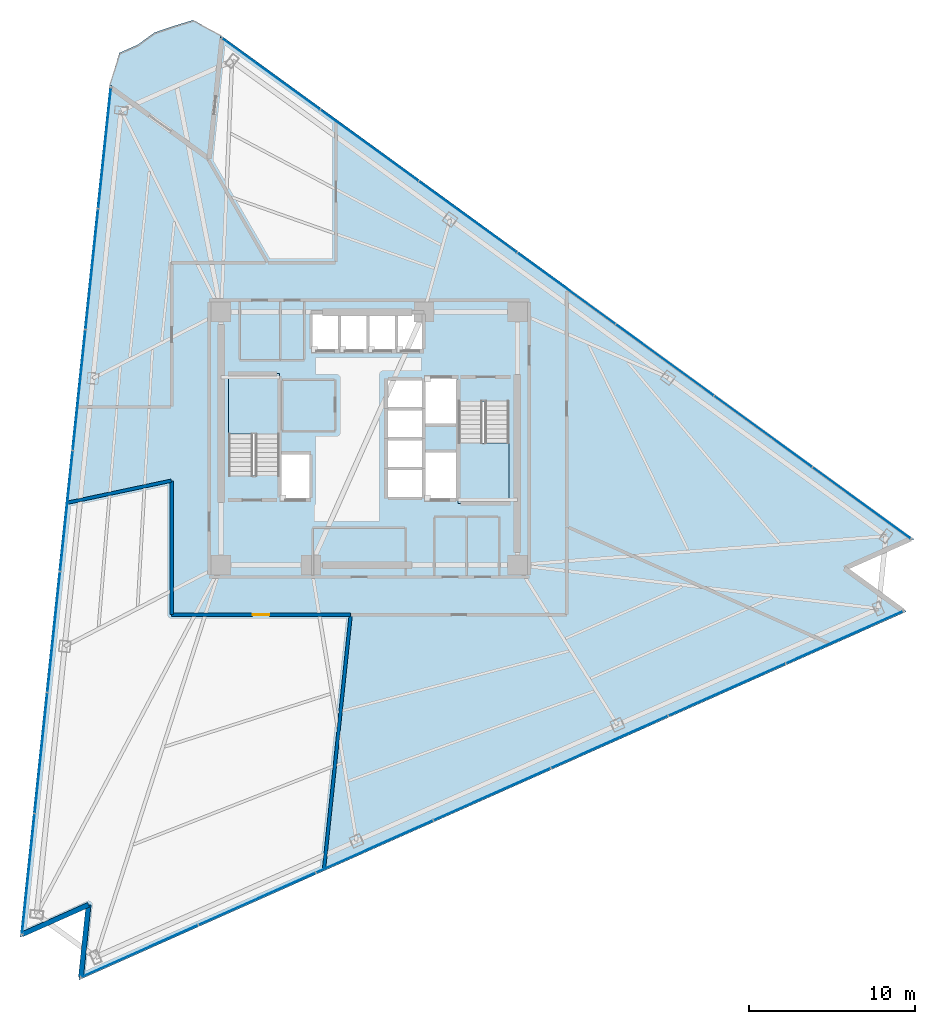
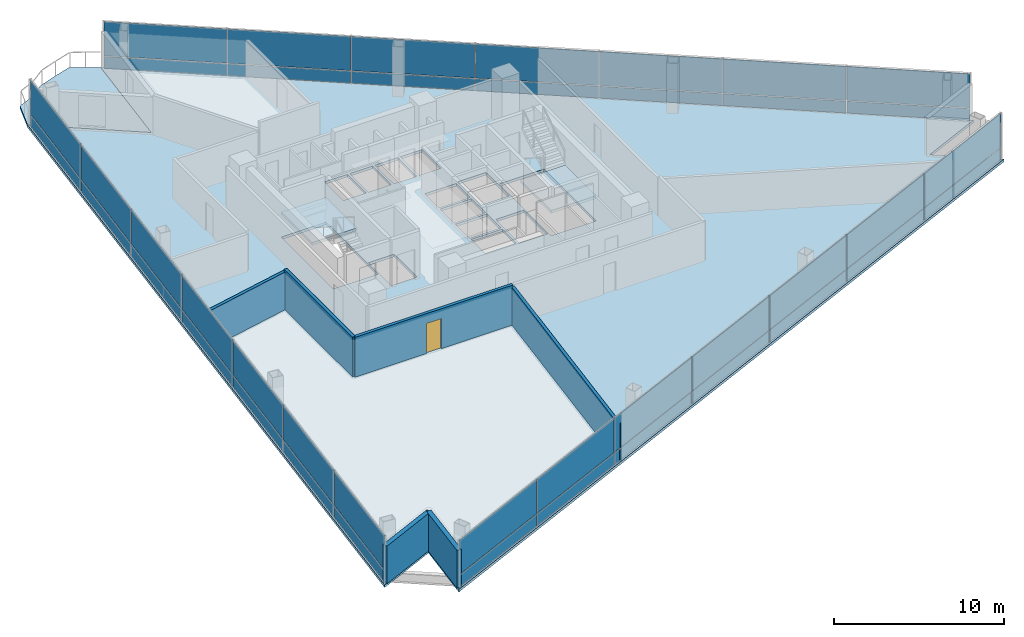
# One storey, part 10 of 16: 42 plates, 6 walls, 4 slabs, 1 door, 1 opening, 5 elements without a shape of their own.
"""IFC4 building model written with IfcOpenShell, lengths in metres."""

from ifc_helpers import new_model, si_unit, direction, frame, frame_2d, origin, origin_2d, place, context, subcontext, project, spatial, polyline, rectangle, outline, extrude, material, layer, layer_set, type_object, element, fill, aggregate, save


model = new_model("IFC4")

# Units and contexts
model_context = context("Model", 3, precision=1e-05, world=origin(), true_north=direction((0.0, 1.0)))
body_context = subcontext(model_context, "Body", "Model", "MODEL_VIEW")
ifc_project = project(units=[si_unit("LENGTHUNIT", "METRE"), si_unit("AREAUNIT", "SQUARE_METRE"), si_unit("VOLUMEUNIT", "CUBIC_METRE"), si_unit("PLANEANGLEUNIT", "RADIAN"), si_unit("MASSUNIT", "GRAM", prefix="KILO")], contexts=[model_context])

# Site, building, storey
site_placement = place(None, origin())
site = spatial("IfcSite", under=ifc_project, at=site_placement, CompositionType="ELEMENT")
building_placement = place(site_placement, origin())
building = spatial("IfcBuilding", under=site, at=building_placement, Name="Tharavind Bronze Gate", CompositionType="ELEMENT")
storey_placement = place(building_placement, frame((0.0, 0.0, 130.449951171875)))
storey = spatial("IfcBuildingStorey", under=building, at=storey_placement, Name="L33", CompositionType="ELEMENT", Elevation=130.449951171875)

# Curtain wall, plates
ifc_material_1 = material(Name="Anodised Bronze Aluminium", Category="aluminium")
ifc_layer_1 = layer(ifc_material_1, 0.219970703125)
ifc_layer_set_1 = layer_set([ifc_layer_1], Name="Anodised Bronze Aluminium")
curtain_wall_type = type_object("IfcCurtainWallType", Name="UNITISED CURTAIN WALL LOWER OFFICE", PredefinedType="USERDEFINED", material=ifc_layer_set_1)
curtain_wall_1_placement = place(storey_placement, origin())
curtain_wall_1 = element("IfcCurtainWall", 1, at=curtain_wall_1_placement, inside=storey, type_object=curtain_wall_type, Name="L33 unitised curtain wall lower office CW-L33-S1", ObjectType="UNITISED CURTAIN WALL", PredefinedType="USERDEFINED")
ifc_material_2 = material(Name="Patinated Bronze Alloy Sheet", Category="bronze")
ifc_layer_2 = layer(ifc_material_2, 0.01611328125)
ifc_layer_set_2 = layer_set([ifc_layer_2], Name="Patinated Bronze Alloy Sheet")
plate_type_1 = type_object("IfcPlateType", Name="BRONZE SPANDREL CLADDING PANEL 16", PredefinedType="CURTAIN_PANEL", material=ifc_layer_set_2)
plate_1_placement = place(storey_placement, frame((-15.909912109375, 17.465087890625, 0.0263671875), z_axis=(0.0, 0.0, 1.0), x_axis=(-0.104526727499, -0.994522077803, 0.0)))
plate_1 = element("IfcPlate", 2, at=plate_1_placement, type_object=plate_type_1, Name="CW-L33-S1 bronze spandrel panel 1", PredefinedType="CURTAIN_PANEL", context=body_context, shape_type="SweptSolid", body=[
    extrude(rectangle(XDim=7.26025390625, YDim=0.01611328125, at=origin_2d()), origin(), (0.0, 0.0, 1.0), 0.846923828125),
])
plate_2_placement = place(storey_placement, frame((-16.67431640625, 10.19189453125, 0.0263671875), z_axis=(0.0, 0.0, 1.0), x_axis=(-0.104526727499, -0.994522077803, 0.0)))
plate_2 = element("IfcPlate", 3, at=plate_2_placement, type_object=plate_type_1, Name="CW-L33-S1 bronze spandrel panel 2", PredefinedType="CURTAIN_PANEL", context=body_context, shape_type="SweptSolid", body=[
    extrude(rectangle(XDim=7.26025390625, YDim=0.01611328125, at=origin_2d()), origin(), (0.0, 0.0, 1.0), 0.846923828125),
])
plate_3_placement = place(storey_placement, frame((-17.438720703125, 2.91845703125, 0.0263671875), z_axis=(0.0, 0.0, 1.0), x_axis=(-0.104526727499, -0.994522077803, 0.0)))
plate_3 = element("IfcPlate", 4, at=plate_3_placement, type_object=plate_type_1, Name="CW-L33-S1 bronze spandrel panel 3", PredefinedType="CURTAIN_PANEL", context=body_context, shape_type="SweptSolid", body=[
    extrude(rectangle(XDim=7.26025390625, YDim=0.01611328125, at=origin_2d()), origin(), (0.0, 0.0, 1.0), 0.846923828125),
])
plate_4_placement = place(storey_placement, frame((-18.203125, -4.354736328125, 0.0263671875), z_axis=(0.0, 0.0, 1.0), x_axis=(-0.104526727499, -0.994522077803, 0.0)))
plate_4 = element("IfcPlate", 5, at=plate_4_placement, type_object=plate_type_1, Name="CW-L33-S1 bronze spandrel panel 4", PredefinedType="CURTAIN_PANEL", context=body_context, shape_type="SweptSolid", body=[
    extrude(rectangle(XDim=7.26025390625, YDim=0.01611328125, at=origin_2d()), origin(), (0.0, 0.0, 1.0), 0.846923828125),
])
plate_5_placement = place(storey_placement, frame((-18.967529296875, -11.628173828125, 0.0263671875), z_axis=(0.0, 0.0, 1.0), x_axis=(-0.104526727499, -0.994522077803, 0.0)))
plate_5 = element("IfcPlate", 6, at=plate_5_placement, type_object=plate_type_1, Name="CW-L33-S1 bronze spandrel panel 5", PredefinedType="CURTAIN_PANEL", context=body_context, shape_type="SweptSolid", body=[
    extrude(rectangle(XDim=7.26025390625, YDim=0.01611328125, at=origin_2d()), origin(), (0.0, 0.0, 1.0), 0.846923828125),
])
plate_6_placement = place(storey_placement, frame((-19.73193359375, -18.9013671875, 0.0263671875), z_axis=(0.0, 0.0, 1.0), x_axis=(-0.104526727499, -0.994522077803, 0.0)))
plate_6 = element("IfcPlate", 7, at=plate_6_placement, type_object=plate_type_1, Name="CW-L33-S1 bronze spandrel panel 6", PredefinedType="CURTAIN_PANEL", context=body_context, shape_type="SweptSolid", body=[
    extrude(rectangle(XDim=7.26025390625, YDim=0.01611328125, at=origin_2d()), origin(), (0.0, 0.0, 1.0), 0.846923828125),
])
plate_7_placement = place(storey_placement, frame((-20.49658203125, -26.1748046875, 0.0263671875), z_axis=(0.0, 0.0, 1.0), x_axis=(-0.104526727499, -0.994522077803, 0.0)))
plate_7 = element("IfcPlate", 8, at=plate_7_placement, type_object=plate_type_1, Name="CW-L33-S1 bronze spandrel panel 7", PredefinedType="CURTAIN_PANEL", context=body_context, shape_type="SweptSolid", body=[
    extrude(rectangle(XDim=7.26025390625, YDim=0.01611328125, at=origin_2d()), origin(), (0.0, 0.0, 1.0), 0.846923828125),
])

curtain_wall_2_placement = place(storey_placement, origin())
curtain_wall_2 = element("IfcCurtainWall", 9, at=curtain_wall_2_placement, inside=storey, type_object=curtain_wall_type, Name="L33 unitised curtain wall lower office CW-L33-S2", ObjectType="UNITISED CURTAIN WALL", PredefinedType="USERDEFINED")
plate_8_placement = place(storey_placement, frame((-13.80419921875, -30.813720703125, 0.0263671875), z_axis=(0.0, 0.0, 1.0), x_axis=(0.913545457643, 0.406736643076, 0.0)))
plate_8 = element("IfcPlate", 10, at=plate_8_placement, type_object=plate_type_1, Name="CW-L33-S2 bronze spandrel panel 1", PredefinedType="CURTAIN_PANEL", context=body_context, shape_type="SweptSolid", body=[
    extrude(rectangle(XDim=7.677490234375, YDim=0.01611328125, at=origin_2d()), origin(), (0.0, 0.0, 1.0), 0.846923828125),
])
plate_9_placement = place(storey_placement, frame((-6.741943359375, -27.66943359375, 0.0263671875), z_axis=(0.0, 0.0, 1.0), x_axis=(0.913545457643, 0.406736643076, 0.0)))
plate_9 = element("IfcPlate", 11, at=plate_9_placement, type_object=plate_type_1, Name="CW-L33-S2 bronze spandrel panel 2", PredefinedType="CURTAIN_PANEL", context=body_context, shape_type="SweptSolid", body=[
    extrude(rectangle(XDim=7.677490234375, YDim=0.01611328125, at=origin_2d()), origin(), (0.0, 0.0, 1.0), 0.846923828125),
])
plate_10_placement = place(storey_placement, frame((0.3203125, -24.525146484375, 0.0263671875), z_axis=(0.0, 0.0, 1.0), x_axis=(0.913545457643, 0.406736643076, 0.0)))
plate_10 = element("IfcPlate", 12, at=plate_10_placement, type_object=plate_type_1, Name="CW-L33-S2 bronze spandrel panel 3", PredefinedType="CURTAIN_PANEL", context=body_context, shape_type="SweptSolid", body=[
    extrude(rectangle(XDim=7.677490234375, YDim=0.01611328125, at=origin_2d()), origin(), (0.0, 0.0, 1.0), 0.846923828125),
])
plate_11_placement = place(storey_placement, frame((7.38232421875, -21.380859375, 0.0263671875), z_axis=(0.0, 0.0, 1.0), x_axis=(0.913545457643, 0.406736643076, 0.0)))
plate_11 = element("IfcPlate", 13, at=plate_11_placement, type_object=plate_type_1, Name="CW-L33-S2 bronze spandrel panel 4", PredefinedType="CURTAIN_PANEL", context=body_context, shape_type="SweptSolid", body=[
    extrude(rectangle(XDim=7.677490234375, YDim=0.01611328125, at=origin_2d()), origin(), (0.0, 0.0, 1.0), 0.846923828125),
])
plate_12_placement = place(storey_placement, frame((14.4443359375, -18.236572265625, 0.0263671875), z_axis=(0.0, 0.0, 1.0), x_axis=(0.913545457643, 0.406736643076, 0.0)))
plate_12 = element("IfcPlate", 14, at=plate_12_placement, type_object=plate_type_1, Name="CW-L33-S2 bronze spandrel panel 5", PredefinedType="CURTAIN_PANEL", context=body_context, shape_type="SweptSolid", body=[
    extrude(rectangle(XDim=7.677490234375, YDim=0.01611328125, at=origin_2d()), origin(), (0.0, 0.0, 1.0), 0.846923828125),
])
plate_13_placement = place(storey_placement, frame((21.506591796875, -15.09228515625, 0.0263671875), z_axis=(0.0, 0.0, 1.0), x_axis=(0.913545457643, 0.406736643076, 0.0)))
plate_13 = element("IfcPlate", 15, at=plate_13_placement, type_object=plate_type_1, Name="CW-L33-S2 bronze spandrel panel 6", PredefinedType="CURTAIN_PANEL", context=body_context, shape_type="SweptSolid", body=[
    extrude(rectangle(XDim=7.677490234375, YDim=0.01611328125, at=origin_2d()), origin(), (0.0, 0.0, 1.0), 0.846923828125),
])
plate_14_placement = place(storey_placement, frame((28.568603515625, -11.947998046875, 0.0263671875), z_axis=(0.0, 0.0, 1.0), x_axis=(0.913545457643, 0.406736643076, 0.0)))
plate_14 = element("IfcPlate", 16, at=plate_14_placement, type_object=plate_type_1, Name="CW-L33-S2 bronze spandrel panel 7", PredefinedType="CURTAIN_PANEL", context=body_context, shape_type="SweptSolid", body=[
    extrude(rectangle(XDim=7.677490234375, YDim=0.01611328125, at=origin_2d()), origin(), (0.0, 0.0, 1.0), 0.846923828125),
])

curtain_wall_3_placement = place(storey_placement, origin())
curtain_wall_3 = element("IfcCurtainWall", 17, at=curtain_wall_3_placement, inside=storey, type_object=curtain_wall_type, Name="L33 unitised curtain wall lower office CW-L33-S3", ObjectType="UNITISED CURTAIN WALL", PredefinedType="USERDEFINED")
plate_15_placement = place(storey_placement, frame((29.599365234375, -3.87060546875, 0.0263671875), z_axis=(0.0, 0.0, 1.0), x_axis=(-0.809016994375, 0.587785252292, 0.0)))
plate_15 = element("IfcPlate", 18, at=plate_15_placement, type_object=plate_type_1, Name="CW-L33-S3 bronze spandrel panel 1", PredefinedType="CURTAIN_PANEL", context=body_context, shape_type="SweptSolid", body=[
    extrude(rectangle(XDim=7.260498046875, YDim=0.01611328125, at=origin_2d()), origin(), (0.0, 0.0, 1.0), 0.846923828125),
])
plate_16_placement = place(storey_placement, frame((23.6826171875, 0.427978515625, 0.0263671875), z_axis=(0.0, 0.0, 1.0), x_axis=(-0.809016994375, 0.587785252292, 0.0)))
plate_16 = element("IfcPlate", 19, at=plate_16_placement, type_object=plate_type_1, Name="CW-L33-S3 bronze spandrel panel 2", PredefinedType="CURTAIN_PANEL", context=body_context, shape_type="SweptSolid", body=[
    extrude(rectangle(XDim=7.260498046875, YDim=0.01611328125, at=origin_2d()), origin(), (0.0, 0.0, 1.0), 0.846923828125),
])
plate_17_placement = place(storey_placement, frame((17.76611328125, 4.726806640625, 0.0263671875), z_axis=(0.0, 0.0, 1.0), x_axis=(-0.809016994375, 0.587785252292, 0.0)))
plate_17 = element("IfcPlate", 20, at=plate_17_placement, type_object=plate_type_1, Name="CW-L33-S3 bronze spandrel panel 3", PredefinedType="CURTAIN_PANEL", context=body_context, shape_type="SweptSolid", body=[
    extrude(rectangle(XDim=7.260498046875, YDim=0.01611328125, at=origin_2d()), origin(), (0.0, 0.0, 1.0), 0.846923828125),
])
plate_18_placement = place(storey_placement, frame((11.849365234375, 9.025390625, 0.0263671875), z_axis=(0.0, 0.0, 1.0), x_axis=(-0.809016994375, 0.587785252292, 0.0)))
plate_18 = element("IfcPlate", 21, at=plate_18_placement, type_object=plate_type_1, Name="CW-L33-S3 bronze spandrel panel 4", PredefinedType="CURTAIN_PANEL", context=body_context, shape_type="SweptSolid", body=[
    extrude(rectangle(XDim=7.260498046875, YDim=0.01611328125, at=origin_2d()), origin(), (0.0, 0.0, 1.0), 0.846923828125),
])
plate_19_placement = place(storey_placement, frame((5.932861328125, 13.32421875, 0.0263671875), z_axis=(0.0, 0.0, 1.0), x_axis=(-0.809016994375, 0.587785252292, 0.0)))
plate_19 = element("IfcPlate", 22, at=plate_19_placement, type_object=plate_type_1, Name="CW-L33-S3 bronze spandrel panel 5", PredefinedType="CURTAIN_PANEL", context=body_context, shape_type="SweptSolid", body=[
    extrude(rectangle(XDim=7.260498046875, YDim=0.01611328125, at=origin_2d()), origin(), (0.0, 0.0, 1.0), 0.846923828125),
])
plate_20_placement = place(storey_placement, frame((0.01611328125, 17.622802734375, 0.0263671875), z_axis=(0.0, 0.0, 1.0), x_axis=(-0.809016994375, 0.587785252292, 0.0)))
plate_20 = element("IfcPlate", 23, at=plate_20_placement, type_object=plate_type_1, Name="CW-L33-S3 bronze spandrel panel 6", PredefinedType="CURTAIN_PANEL", context=body_context, shape_type="SweptSolid", body=[
    extrude(rectangle(XDim=7.260498046875, YDim=0.01611328125, at=origin_2d()), origin(), (0.0, 0.0, 1.0), 0.846923828125),
])
plate_21_placement = place(storey_placement, frame((-5.900390625, 21.921630859375, 0.0263671875), z_axis=(0.0, 0.0, 1.0), x_axis=(-0.809016994375, 0.587785252292, 0.0)))
plate_21 = element("IfcPlate", 24, at=plate_21_placement, type_object=plate_type_1, Name="CW-L33-S3 bronze spandrel panel 7", PredefinedType="CURTAIN_PANEL", context=body_context, shape_type="SweptSolid", body=[
    extrude(rectangle(XDim=7.260498046875, YDim=0.01611328125, at=origin_2d()), origin(), (0.0, 0.0, 1.0), 0.846923828125),
])

# Plate
ifc_material_3 = material(Name="Low-E Double Glazing", Category="glass")
ifc_layer_3 = layer(ifc_material_3, 0.031982421875)
ifc_layer_set_3 = layer_set([ifc_layer_3], Name="Low-E Double Glazing")
plate_type_2 = type_object("IfcPlateType", Name="DOUBLE GLAZED FACADE PANEL 32", PredefinedType="CURTAIN_PANEL", material=ifc_layer_set_3)
plate_22_placement = place(storey_placement, frame((-15.909912109375, 17.465087890625, 0.926513671875), z_axis=(0.0, 0.0, 1.0), x_axis=(-0.104526727499, -0.994522077803, 0.0)))
plate_22 = element("IfcPlate", 25, at=plate_22_placement, type_object=plate_type_2, Name="CW-L33-S1 vision glazing panel 1", PredefinedType="CURTAIN_PANEL", context=body_context, shape_type="SweptSolid", body=[
    extrude(rectangle(XDim=7.26025390625, YDim=0.031982421875, at=origin_2d()), origin(), (0.0, 0.0, 1.0), 2.45703125),
])

plate_23_placement = place(storey_placement, frame((-16.67431640625, 10.19189453125, 0.926513671875), z_axis=(0.0, 0.0, 1.0), x_axis=(-0.104526727499, -0.994522077803, 0.0)))
plate_23 = element("IfcPlate", 26, at=plate_23_placement, type_object=plate_type_2, Name="CW-L33-S1 vision glazing panel 2", PredefinedType="CURTAIN_PANEL", context=body_context, shape_type="SweptSolid", body=[
    extrude(rectangle(XDim=7.26025390625, YDim=0.031982421875, at=origin_2d()), origin(), (0.0, 0.0, 1.0), 2.45703125),
])

plate_24_placement = place(storey_placement, frame((-17.438720703125, 2.91845703125, 0.926513671875), z_axis=(0.0, 0.0, 1.0), x_axis=(-0.104526727499, -0.994522077803, 0.0)))
plate_24 = element("IfcPlate", 27, at=plate_24_placement, type_object=plate_type_2, Name="CW-L33-S1 vision glazing panel 3", PredefinedType="CURTAIN_PANEL", context=body_context, shape_type="SweptSolid", body=[
    extrude(rectangle(XDim=7.26025390625, YDim=0.031982421875, at=origin_2d()), origin(), (0.0, 0.0, 1.0), 2.45703125),
])

plate_25_placement = place(storey_placement, frame((-18.203125, -4.354736328125, 0.926513671875), z_axis=(0.0, 0.0, 1.0), x_axis=(-0.104526727499, -0.994522077803, 0.0)))
plate_25 = element("IfcPlate", 28, at=plate_25_placement, type_object=plate_type_2, Name="CW-L33-S1 vision glazing panel 4", PredefinedType="CURTAIN_PANEL", context=body_context, shape_type="SweptSolid", body=[
    extrude(rectangle(XDim=7.26025390625, YDim=0.031982421875, at=origin_2d()), origin(), (0.0, 0.0, 1.0), 2.45703125),
])

plate_26_placement = place(storey_placement, frame((-18.967529296875, -11.628173828125, 0.926513671875), z_axis=(0.0, 0.0, 1.0), x_axis=(-0.104526727499, -0.994522077803, 0.0)))
plate_26 = element("IfcPlate", 29, at=plate_26_placement, type_object=plate_type_2, Name="CW-L33-S1 vision glazing panel 5", PredefinedType="CURTAIN_PANEL", context=body_context, shape_type="SweptSolid", body=[
    extrude(rectangle(XDim=7.26025390625, YDim=0.031982421875, at=origin_2d()), origin(), (0.0, 0.0, 1.0), 2.45703125),
])

plate_27_placement = place(storey_placement, frame((-19.73193359375, -18.9013671875, 0.926513671875), z_axis=(0.0, 0.0, 1.0), x_axis=(-0.104526727499, -0.994522077803, 0.0)))
plate_27 = element("IfcPlate", 30, at=plate_27_placement, type_object=plate_type_2, Name="CW-L33-S1 vision glazing panel 6", PredefinedType="CURTAIN_PANEL", context=body_context, shape_type="SweptSolid", body=[
    extrude(rectangle(XDim=7.26025390625, YDim=0.031982421875, at=origin_2d()), origin(), (0.0, 0.0, 1.0), 2.45703125),
])

plate_28_placement = place(storey_placement, frame((-20.49658203125, -26.1748046875, 0.926513671875), z_axis=(0.0, 0.0, 1.0), x_axis=(-0.104526727499, -0.994522077803, 0.0)))
plate_28 = element("IfcPlate", 31, at=plate_28_placement, type_object=plate_type_2, Name="CW-L33-S1 vision glazing panel 7", PredefinedType="CURTAIN_PANEL", context=body_context, shape_type="SweptSolid", body=[
    extrude(rectangle(XDim=7.26025390625, YDim=0.031982421875, at=origin_2d()), origin(), (0.0, 0.0, 1.0), 2.45703125),
])

aggregate(curtain_wall_1, [plate_1, plate_22, plate_2, plate_23, plate_3, plate_24, plate_4, plate_25, plate_5, plate_26, plate_6, plate_27, plate_7, plate_28])

plate_29_placement = place(storey_placement, frame((-13.80419921875, -30.813720703125, 0.926513671875), z_axis=(0.0, 0.0, 1.0), x_axis=(0.913545457643, 0.406736643076, 0.0)))
plate_29 = element("IfcPlate", 32, at=plate_29_placement, type_object=plate_type_2, Name="CW-L33-S2 vision glazing panel 1", PredefinedType="CURTAIN_PANEL", context=body_context, shape_type="SweptSolid", body=[
    extrude(rectangle(XDim=7.677490234375, YDim=0.031982421875, at=origin_2d()), origin(), (0.0, 0.0, 1.0), 2.45703125),
])

plate_30_placement = place(storey_placement, frame((-6.741943359375, -27.66943359375, 0.926513671875), z_axis=(0.0, 0.0, 1.0), x_axis=(0.913545457643, 0.406736643076, 0.0)))
plate_30 = element("IfcPlate", 33, at=plate_30_placement, type_object=plate_type_2, Name="CW-L33-S2 vision glazing panel 2", PredefinedType="CURTAIN_PANEL", context=body_context, shape_type="SweptSolid", body=[
    extrude(rectangle(XDim=7.677490234375, YDim=0.031982421875, at=origin_2d()), origin(), (0.0, 0.0, 1.0), 2.45703125),
])

plate_31_placement = place(storey_placement, frame((0.3203125, -24.525146484375, 0.926513671875), z_axis=(0.0, 0.0, 1.0), x_axis=(0.913545457643, 0.406736643076, 0.0)))
plate_31 = element("IfcPlate", 34, at=plate_31_placement, type_object=plate_type_2, Name="CW-L33-S2 vision glazing panel 3", PredefinedType="CURTAIN_PANEL", context=body_context, shape_type="SweptSolid", body=[
    extrude(rectangle(XDim=7.677490234375, YDim=0.031982421875, at=origin_2d()), origin(), (0.0, 0.0, 1.0), 2.45703125),
])

plate_32_placement = place(storey_placement, frame((7.38232421875, -21.380859375, 0.926513671875), z_axis=(0.0, 0.0, 1.0), x_axis=(0.913545457643, 0.406736643076, 0.0)))
plate_32 = element("IfcPlate", 35, at=plate_32_placement, type_object=plate_type_2, Name="CW-L33-S2 vision glazing panel 4", PredefinedType="CURTAIN_PANEL", context=body_context, shape_type="SweptSolid", body=[
    extrude(rectangle(XDim=7.677490234375, YDim=0.031982421875, at=origin_2d()), origin(), (0.0, 0.0, 1.0), 2.45703125),
])

plate_33_placement = place(storey_placement, frame((14.4443359375, -18.236572265625, 0.926513671875), z_axis=(0.0, 0.0, 1.0), x_axis=(0.913545457643, 0.406736643076, 0.0)))
plate_33 = element("IfcPlate", 36, at=plate_33_placement, type_object=plate_type_2, Name="CW-L33-S2 vision glazing panel 5", PredefinedType="CURTAIN_PANEL", context=body_context, shape_type="SweptSolid", body=[
    extrude(rectangle(XDim=7.677490234375, YDim=0.031982421875, at=origin_2d()), origin(), (0.0, 0.0, 1.0), 2.45703125),
])

plate_34_placement = place(storey_placement, frame((21.506591796875, -15.09228515625, 0.926513671875), z_axis=(0.0, 0.0, 1.0), x_axis=(0.913545457643, 0.406736643076, 0.0)))
plate_34 = element("IfcPlate", 37, at=plate_34_placement, type_object=plate_type_2, Name="CW-L33-S2 vision glazing panel 6", PredefinedType="CURTAIN_PANEL", context=body_context, shape_type="SweptSolid", body=[
    extrude(rectangle(XDim=7.677490234375, YDim=0.031982421875, at=origin_2d()), origin(), (0.0, 0.0, 1.0), 2.45703125),
])

plate_35_placement = place(storey_placement, frame((28.568603515625, -11.947998046875, 0.926513671875), z_axis=(0.0, 0.0, 1.0), x_axis=(0.913545457643, 0.406736643076, 0.0)))
plate_35 = element("IfcPlate", 38, at=plate_35_placement, type_object=plate_type_2, Name="CW-L33-S2 vision glazing panel 7", PredefinedType="CURTAIN_PANEL", context=body_context, shape_type="SweptSolid", body=[
    extrude(rectangle(XDim=7.677490234375, YDim=0.031982421875, at=origin_2d()), origin(), (0.0, 0.0, 1.0), 2.45703125),
])

aggregate(curtain_wall_2, [plate_8, plate_29, plate_9, plate_30, plate_10, plate_31, plate_11, plate_32, plate_12, plate_33, plate_13, plate_34, plate_14, plate_35])

plate_36_placement = place(storey_placement, frame((29.599365234375, -3.87060546875, 0.926513671875), z_axis=(0.0, 0.0, 1.0), x_axis=(-0.809016994375, 0.587785252292, 0.0)))
plate_36 = element("IfcPlate", 39, at=plate_36_placement, type_object=plate_type_2, Name="CW-L33-S3 vision glazing panel 1", PredefinedType="CURTAIN_PANEL", context=body_context, shape_type="SweptSolid", body=[
    extrude(rectangle(XDim=7.260498046875, YDim=0.031982421875, at=origin_2d()), origin(), (0.0, 0.0, 1.0), 2.45703125),
])

plate_37_placement = place(storey_placement, frame((23.6826171875, 0.427978515625, 0.926513671875), z_axis=(0.0, 0.0, 1.0), x_axis=(-0.809016994375, 0.587785252292, 0.0)))
plate_37 = element("IfcPlate", 40, at=plate_37_placement, type_object=plate_type_2, Name="CW-L33-S3 vision glazing panel 2", PredefinedType="CURTAIN_PANEL", context=body_context, shape_type="SweptSolid", body=[
    extrude(rectangle(XDim=7.260498046875, YDim=0.031982421875, at=origin_2d()), origin(), (0.0, 0.0, 1.0), 2.45703125),
])

plate_38_placement = place(storey_placement, frame((17.76611328125, 4.726806640625, 0.926513671875), z_axis=(0.0, 0.0, 1.0), x_axis=(-0.809016994375, 0.587785252292, 0.0)))
plate_38 = element("IfcPlate", 41, at=plate_38_placement, type_object=plate_type_2, Name="CW-L33-S3 vision glazing panel 3", PredefinedType="CURTAIN_PANEL", context=body_context, shape_type="SweptSolid", body=[
    extrude(rectangle(XDim=7.260498046875, YDim=0.031982421875, at=origin_2d()), origin(), (0.0, 0.0, 1.0), 2.45703125),
])

plate_39_placement = place(storey_placement, frame((11.849365234375, 9.025390625, 0.926513671875), z_axis=(0.0, 0.0, 1.0), x_axis=(-0.809016994375, 0.587785252292, 0.0)))
plate_39 = element("IfcPlate", 42, at=plate_39_placement, type_object=plate_type_2, Name="CW-L33-S3 vision glazing panel 4", PredefinedType="CURTAIN_PANEL", context=body_context, shape_type="SweptSolid", body=[
    extrude(rectangle(XDim=7.260498046875, YDim=0.031982421875, at=origin_2d()), origin(), (0.0, 0.0, 1.0), 2.45703125),
])

plate_40_placement = place(storey_placement, frame((5.932861328125, 13.32421875, 0.926513671875), z_axis=(0.0, 0.0, 1.0), x_axis=(-0.809016994375, 0.587785252292, 0.0)))
plate_40 = element("IfcPlate", 43, at=plate_40_placement, type_object=plate_type_2, Name="CW-L33-S3 vision glazing panel 5", PredefinedType="CURTAIN_PANEL", context=body_context, shape_type="SweptSolid", body=[
    extrude(rectangle(XDim=7.260498046875, YDim=0.031982421875, at=origin_2d()), origin(), (0.0, 0.0, 1.0), 2.45703125),
])

plate_41_placement = place(storey_placement, frame((0.01611328125, 17.622802734375, 0.926513671875), z_axis=(0.0, 0.0, 1.0), x_axis=(-0.809016994375, 0.587785252292, 0.0)))
plate_41 = element("IfcPlate", 44, at=plate_41_placement, type_object=plate_type_2, Name="CW-L33-S3 vision glazing panel 6", PredefinedType="CURTAIN_PANEL", context=body_context, shape_type="SweptSolid", body=[
    extrude(rectangle(XDim=7.260498046875, YDim=0.031982421875, at=origin_2d()), origin(), (0.0, 0.0, 1.0), 2.45703125),
])

plate_42_placement = place(storey_placement, frame((-5.900390625, 21.921630859375, 0.926513671875), z_axis=(0.0, 0.0, 1.0), x_axis=(-0.809016994375, 0.587785252292, 0.0)))
plate_42 = element("IfcPlate", 45, at=plate_42_placement, type_object=plate_type_2, Name="CW-L33-S3 vision glazing panel 7", PredefinedType="CURTAIN_PANEL", context=body_context, shape_type="SweptSolid", body=[
    extrude(rectangle(XDim=7.260498046875, YDim=0.031982421875, at=origin_2d()), origin(), (0.0, 0.0, 1.0), 2.45703125),
])

aggregate(curtain_wall_3, [plate_15, plate_36, plate_16, plate_37, plate_17, plate_38, plate_18, plate_39, plate_19, plate_40, plate_20, plate_41, plate_21, plate_42])

# Slab
ifc_material_4 = material(Name="Concrete C40/50", Category="concrete")
ifc_layer_4 = layer(ifc_material_4, 0.179931640625)
ifc_layer_set_4 = layer_set([ifc_layer_4], Name="Concrete C40/50")
slab_type_1 = type_object("IfcSlabType", Name="EXTERIOR BALCONY SLAB 180", PredefinedType="FLOOR", material=ifc_layer_set_4)
slab_1_placement = place(storey_placement, frame((0.0, 0.0, -0.179931640625)))
element("IfcSlab", 46, at=slab_1_placement, inside=storey, type_object=slab_type_1, Name="L33 northeast tree balcony slab", PredefinedType="FLOOR", context=body_context, shape_type="SweptSolid", body=[
    extrude(outline(polyline([(-10.579833984375, 25.165283203125), (-11.75146484375, 24.8056640625), (-12.90869140625, 24.413330078125), (-13.914306640625, 23.680908203125), (-15.02587890625, 23.18603515625), (-15.60888671875, 21.284423828125), (-9.703125, 16.99365234375), (-8.940185546875, 24.253662109375), (-10.579833984375, 25.165283203125)])), origin(), (0.0, 0.0, 1.0), 0.179931640625),
])

# Stair, slab
stair_type = type_object("IfcStairType", Name="CORE HALF TURN STAIR 1450", PredefinedType="HALF_TURN_STAIR", material=ifc_material_4)
stair_1_placement = place(storey_placement, origin())
stair_1 = element("IfcStair", 47, at=stair_1_placement, inside=storey, type_object=stair_type, Name="L33 Protected Exit Stair ST1", PredefinedType="HALF_TURN_STAIR")
ifc_layer_5 = layer(ifc_material_4, 0.199951171875)
ifc_layer_set_5 = layer_set([ifc_layer_5], Name="Concrete C40/50")
slab_type_2 = type_object("IfcSlabType", Name="STAIR LANDING SLAB 200", PredefinedType="LANDING", material=ifc_layer_set_5)
slab_2_placement = place(storey_placement, frame((0.0, 0.0, 1.60009765625)))
slab_2 = element("IfcSlab", 48, at=slab_2_placement, type_object=slab_type_2, Name="ST1 landing 1", PredefinedType="LANDING", context=body_context, shape_type="SweptSolid", body=[
    extrude(outline(polyline([(-5.39990234375, 0.27001953125), (-5.39990234375, 3.89990234375), (-8.449951171875, 3.89990234375), (-8.449951171875, 0.27001953125), (-5.39990234375, 0.27001953125)])), origin(), (0.0, 0.0, 1.0), 0.199951171875),
])
aggregate(stair_1, [slab_2])

stair_2_placement = place(storey_placement, origin())
stair_2 = element("IfcStair", 49, at=stair_2_placement, inside=storey, type_object=stair_type, Name="L33 Protected Exit Stair ST2", PredefinedType="HALF_TURN_STAIR")
slab_3_placement = place(storey_placement, frame((0.0, 0.0, 1.60009765625)))
slab_3 = element("IfcSlab", 50, at=slab_3_placement, type_object=slab_type_2, Name="ST2 landing 1", PredefinedType="LANDING", context=body_context, shape_type="SweptSolid", body=[
    extrude(outline(polyline([(5.35009765625, -0.27001953125), (5.35009765625, -3.89990234375), (8.39990234375, -3.89990234375), (8.39990234375, -0.27001953125), (5.35009765625, -0.27001953125)])), origin(), (0.0, 0.0, 1.0), 0.199951171875),
])
aggregate(stair_2, [slab_3])

# Slab
ifc_layer_6 = layer(ifc_material_4, 0.18994140625)
ifc_layer_set_6 = layer_set([ifc_layer_6], Name="Concrete C40/50")
slab_type_3 = type_object("IfcSlabType", Name="STRUCTURAL FLOOR SLAB 190", PredefinedType="FLOOR", material=ifc_layer_set_6)
slab_4_placement = place(storey_placement, frame((0.0, 0.0, -0.18994140625)))
element("IfcSlab", 51, at=slab_4_placement, inside=storey, type_object=slab_type_3, Name="L33 main structural floor slab", PredefinedType="FLOOR", context=body_context, shape_type="SweptSolid", body=[
    extrude(outline(polyline([(-8.940185546875, 24.253662109375), (-9.703125, 16.99365234375), (-15.60888671875, 21.284423828125), (-20.996337890625, -29.97314453125), (-16.9951171875, -28.191650390625), (-17.452880859375, -32.547607421875), (32.298583984375, -10.396728515625), (28.755126953125, -7.822265625), (32.756591796875, -6.040771484375), (-8.940185546875, 24.253662109375)]), holes=[polyline([(-5.39990234375, -2.215087890625), (-5.39990234375, 3.89990234375), (-8.449951171875, 3.89990234375), (-8.449951171875, -2.215087890625), (-5.39990234375, -2.215087890625)]), polyline([(5.35009765625, 2.215087890625), (5.35009765625, -3.89990234375), (8.39990234375, -3.89990234375), (8.39990234375, 2.215087890625), (5.35009765625, 2.215087890625)]), polyline([(-3.419921875, 5.330078125), (-1.867431640625, 5.330078125), (-1.867431640625, 7.52001953125), (-3.419921875, 7.52001953125), (-3.419921875, 5.330078125)]), polyline([(-1.70751953125, 5.330078125), (-0.155029296875, 5.330078125), (-0.155029296875, 7.52001953125), (-1.70751953125, 7.52001953125), (-1.70751953125, 5.330078125)]), polyline([(0.0048828125, 5.330078125), (1.5576171875, 5.330078125), (1.5576171875, 7.52001953125), (0.0048828125, 7.52001953125), (0.0048828125, 5.330078125)]), polyline([(1.717529296875, 5.330078125), (3.199951171875, 5.330078125), (3.199951171875, 7.52001953125), (1.717529296875, 7.52001953125), (1.717529296875, 5.330078125)]), polyline([(1.080078125, -3.52001953125), (3.199951171875, -3.52001953125), (3.199951171875, -1.8798828125), (1.080078125, -1.8798828125), (1.080078125, -3.52001953125)]), polyline([(1.080078125, -1.719970703125), (3.199951171875, -1.719970703125), (3.199951171875, -0.080078125), (1.080078125, -0.080078125), (1.080078125, -1.719970703125)]), polyline([(1.080078125, 0.080078125), (3.199951171875, 0.080078125), (3.199951171875, 1.719970703125), (1.080078125, 1.719970703125), (1.080078125, 0.080078125)]), polyline([(1.080078125, 1.8798828125), (3.199951171875, 1.8798828125), (3.199951171875, 3.52001953125), (1.080078125, 3.52001953125), (1.080078125, 1.8798828125)]), polyline([(-5.320068359375, -3.6201171875), (-3.580078125, -3.6201171875), (-3.580078125, -0.929931640625), (-5.320068359375, -0.929931640625), (-5.320068359375, -3.6201171875)]), polyline([(3.360107421875, 0.8798828125), (5.27001953125, 0.8798828125), (5.27001953125, 3.6201171875), (3.360107421875, 3.6201171875), (3.360107421875, 0.8798828125)]), polyline([(3.360107421875, -3.6201171875), (5.27001953125, -3.6201171875), (5.27001953125, -0.830078125), (3.360107421875, -0.830078125), (3.360107421875, -3.6201171875)])]), origin(), (0.0, 0.0, 1.0), 0.18994140625),
])

# Walls
ifc_layer_7 = layer(ifc_material_4, 0.300048828125)
ifc_layer_set_7 = layer_set([ifc_layer_7], Name="Concrete C40/50")
wall_type_1 = type_object("IfcWallType", Name="EXTERIOR SPANDREL WALL 300", PredefinedType="STANDARD", material=ifc_layer_set_7)
for number, where, z_axis, x_axis, name in (
    (52, (-20.878662109375, -29.811279296875, 0.0), (0.0, 0.0, 1.0), (0.913542411385, 0.406743485013, 0.0), "L33 notch cheek wall 2A"),
    (53, (-16.87744140625, -28.02978515625, 0.0), (0.0, 0.0, 1.0), (-0.10451359066, -0.99452345843, 0.0), "L33 notch cheek wall 2B"),
):
    element("IfcWall", number, at=place(storey_placement, frame(where, z_axis=z_axis, x_axis=x_axis)), inside=storey, type_object=wall_type_1, Name=name, PredefinedType="STANDARD", context=body_context, shape_type="SweptSolid", body=[
        extrude(rectangle(XDim=4.3798828125, YDim=0.300048828125, at=frame_2d((2.18994140625, 0.0))), origin(), (0.0, 0.0, 1.0), 2.705078125),
    ])
ifc_material_5 = material(Name="Aerated Concrete Block", Category="concrete")
ifc_layer_8 = layer(ifc_material_5, 0.199951171875)
ifc_layer_set_8 = layer_set([ifc_layer_8], Name="Aerated Concrete Block")
wall_type_2 = type_object("IfcWallType", Name="FIRE RATED PARTITION 200", PredefinedType="PARTITIONING", material=ifc_layer_set_8)
wall_1_placement = place(storey_placement, frame((-2.719970703125, -25.878662109375, 0.0), z_axis=(0.0, 0.0, 1.0), x_axis=(0.104519310708, 0.994522857299, 0.0)))
element("IfcWall", 54, at=wall_1_placement, inside=storey, type_object=wall_type_2, Name="L33 Public Restrooms Block partition", PredefinedType="PARTITIONING", context=body_context, shape_type="SweptSolid", body=[
    extrude(rectangle(XDim=15.360595703125, YDim=0.199951171875, at=frame_2d((7.68017578125, 0.0))), origin(), (0.0, 0.0, 1.0), 2.705078125),
])
wall_2_placement = place(storey_placement, frame((-18.13330078125, -3.854248046875, 0.0), z_axis=(0.0, 0.0, 1.0), x_axis=(0.978148121703, 0.207909239835, 0.0)))
element("IfcWall", 55, at=wall_2_placement, inside=storey, type_object=wall_type_2, Name="L33 Executive Study Suite partition", PredefinedType="PARTITIONING", context=body_context, shape_type="SweptSolid", body=[
    extrude(rectangle(XDim=6.362060546875, YDim=0.199951171875, at=frame_2d((3.18115234375, 0.0))), origin(), (0.0, 0.0, 1.0), 2.705078125),
])
wall_3_placement = place(storey_placement, frame((-11.8798828125, -2.555908203125, 0.0), z_axis=(0.0, 0.0, 1.0), x_axis=(0.0, -1.0, 0.0)))
element("IfcWall", 56, at=wall_3_placement, inside=storey, type_object=wall_type_2, Name="L33 Executive Study Suite partition", PredefinedType="PARTITIONING", context=body_context, shape_type="SweptSolid", body=[
    extrude(rectangle(XDim=8.0234375, YDim=0.199951171875, at=frame_2d((4.01171875, 0.0))), origin(), (0.0, 0.0, 1.0), 2.85498046875),
])

# Wall, opening, door
wall_4_placement = place(storey_placement, frame((-11.87939453125, -10.580078125, 0.0), z_axis=(0.0, 0.0, 1.0), x_axis=(1.0, 0.0, 0.0)))
wall_4 = element("IfcWall", 57, at=wall_4_placement, inside=storey, type_object=wall_type_2, Name="L33 Executive Study Suite partition", PredefinedType="PARTITIONING", context=body_context, shape_type="SweptSolid", body=[
    extrude(rectangle(XDim=10.739501953125, YDim=0.199951171875, at=frame_2d((5.36962890625, 0.0))), origin(), (0.0, 0.0, 1.0), 2.85498046875),
])
opening_placement = place(wall_4_placement, frame((4.8701171875, 0.0, 0.0)))
opening = element("IfcOpeningElement", 58, at=opening_placement, cuts=wall_4, Name="Opening ID04", PredefinedType="OPENING", context=body_context, shape_type="SweptSolid", body=[
    extrude(rectangle(XDim=1.0, YDim=2.14990234375, at=frame_2d((0.5, 1.074951171875))), frame((0.0, 0.11009765625, 0.0), z_axis=(0.0, -1.0, 0.0), x_axis=(1.0, 0.0, 0.0)), (0.0, 0.0, 1.0), 0.219951171875),
])
ifc_material_6 = material(Name="Bronze Framed Acoustic Timber", Category="wood")
door_type = type_object("IfcDoorType", Name="OFFICE TENANCY DOOR 1000X2150", OperationType="SINGLE_SWING_RIGHT", PredefinedType="DOOR", material=ifc_material_6)
door_placement = place(opening_placement, origin())
door = element("IfcDoor", 59, at=door_placement, inside=storey, type_object=door_type, Name="L33 Executive Study Suite door", OperationType="SINGLE_SWING_RIGHT", OverallHeight=2.14990234375, OverallWidth=1.0, PredefinedType="DOOR", context=body_context, shape_type="SweptSolid", body=[
    extrude(rectangle(XDim=1.0, YDim=2.14990234375, at=frame_2d((0.5, 1.074951171875))), frame((0.0, 0.02490234375, 0.0), z_axis=(0.0, -1.0, 0.0), x_axis=(1.0, 0.0, 0.0)), (0.0, 0.0, 1.0), 0.050048828125),
])
fill(opening, door)

save(model, "model.ifc")
